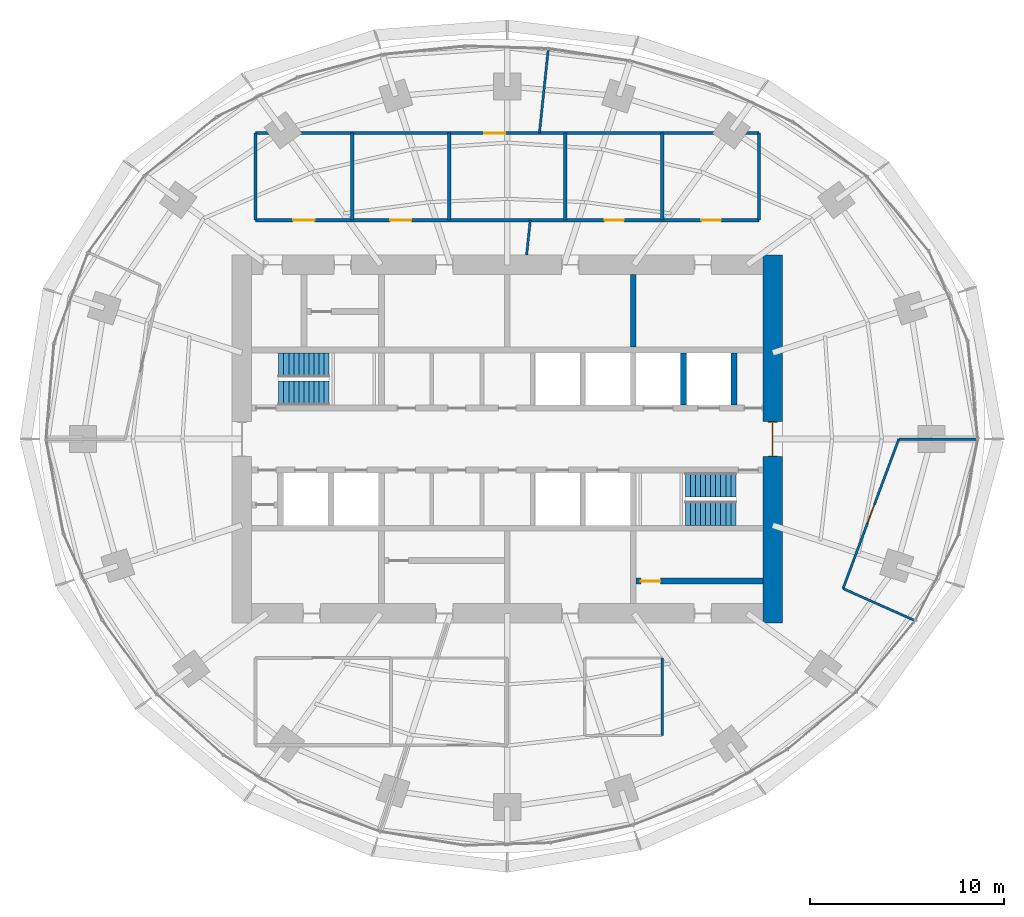
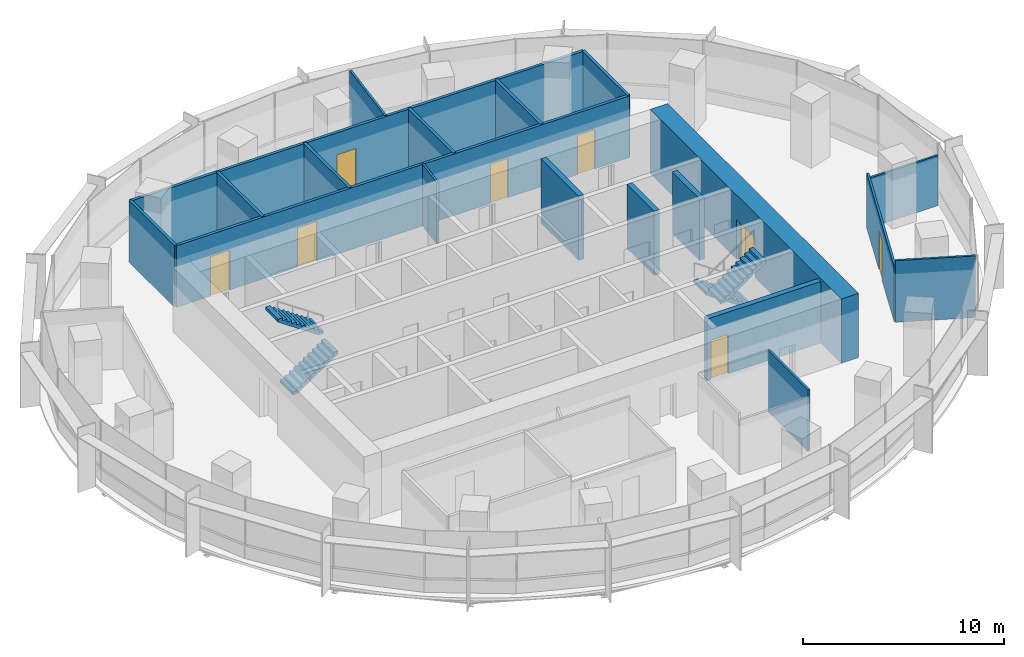
# One storey, part 12 of 14: 19 walls, 8 doors, 4 stair flights, 8 openings, 2 elements without a shape of their own.
"""IFC4 building model written with IfcOpenShell, lengths in metres."""

from ifc_helpers import new_model, si_unit, direction, frame, frame_2d, origin, place, context, subcontext, project, spatial, polyline, rectangle, outline, extrude, material, layer, layer_set, type_object, element, fill, aggregate, save


model = new_model("IFC4")

# Units and contexts
model_context = context("Model", 3, precision=1e-05, world=origin(), true_north=direction((0.0, 1.0)))
body_context = subcontext(model_context, "Body", "Model", "MODEL_VIEW")
ifc_project = project(units=[si_unit("LENGTHUNIT", "METRE"), si_unit("AREAUNIT", "SQUARE_METRE"), si_unit("VOLUMEUNIT", "CUBIC_METRE"), si_unit("PLANEANGLEUNIT", "RADIAN"), si_unit("MASSUNIT", "GRAM", prefix="KILO")], contexts=[model_context])

# Site, building, storey
site_placement = place(None, origin())
site = spatial("IfcSite", under=ifc_project, at=site_placement, CompositionType="ELEMENT")
building_placement = place(site_placement, origin())
building = spatial("IfcBuilding", under=site, at=building_placement, Name="Marramba Exchange Tower", CompositionType="ELEMENT")
storey_placement = place(building_placement, frame((0.0, 0.0, 238.39990234375)))
storey = spatial("IfcBuildingStorey", under=building, at=storey_placement, Name="L58", CompositionType="ELEMENT", Elevation=238.39990234375)

# Walls
ifc_material_1 = material(Name="Plasterboard on staggered double steel studs, acoustic insulation", Category="steel")
ifc_layer_1 = layer(ifc_material_1, 0.169921875)
ifc_layer_set_1 = layer_set([ifc_layer_1], Name="Acoustic partition 170")
wall_type_1 = type_object("IfcWallType", Name="Acoustic partition 170", PredefinedType="PARTITIONING", material=ifc_layer_set_1)
for number, where, z_axis, x_axis, name in (
    (1, (13.0, 11.300048828125, 0.0), (0.0, 0.0, 1.0), (0.0, 1.0, 0.0), "Acoustic partition L58 17"),
    (2, (8.0, 15.800048828125, 0.0), (0.0, 0.0, 1.0), (0.0, -1.0, 0.0), "Acoustic partition L58 18"),
    (3, (3.0, 15.800048828125, 0.0), (0.0, 0.0, 1.0), (0.0, -1.0, 0.0), "Acoustic partition L58 19"),
):
    element("IfcWall", number, at=place(storey_placement, frame(where, z_axis=z_axis, x_axis=x_axis)), inside=storey, type_object=wall_type_1, Name=name, PredefinedType="PARTITIONING", context=body_context, shape_type="SweptSolid", body=[
        extrude(rectangle(XDim=4.5, YDim=0.169921875, at=frame_2d((2.25, 0.0))), origin(), (0.0, 0.0, 1.0), 3.739990234375),
    ])

# Wall, openings, doors
wall_1_placement = place(storey_placement, frame((-13.0, 11.300048828125, 0.0), z_axis=(0.0, 0.0, 1.0), x_axis=(1.0, 0.0, 0.0)))
wall_1 = element("IfcWall", 4, at=wall_1_placement, inside=storey, type_object=wall_type_1, Name="Acoustic partition L58 22", PredefinedType="PARTITIONING", context=body_context, shape_type="SweptSolid", body=[
    extrude(rectangle(XDim=26.0, YDim=0.169921875, at=frame_2d((13.0, 0.0))), origin(), (0.0, 0.0, 1.0), 3.739990234375),
])
opening_1_placement = place(wall_1_placement, frame((1.949951171875, 0.0, 0.0)))
opening_1 = element("IfcOpeningElement", 5, at=opening_1_placement, cuts=wall_1, Name="Opening D15", PredefinedType="OPENING", context=body_context, shape_type="SweptSolid", body=[
    extrude(rectangle(XDim=1.10009765625, YDim=2.39990234375, at=frame_2d((0.550048828125, 1.199951171875))), frame((0.0, 0.094970703125, 0.0), z_axis=(0.0, -1.0, 0.0), x_axis=(1.0, 0.0, 0.0)), (0.0, 0.0, 1.0), 0.18994140625),
])
opening_2_placement = place(wall_1_placement, frame((6.949951171875, 0.0, 0.0)))
opening_2 = element("IfcOpeningElement", 6, at=opening_2_placement, cuts=wall_1, Name="Opening D15", PredefinedType="OPENING", context=body_context, shape_type="SweptSolid", body=[
    extrude(rectangle(XDim=1.10009765625, YDim=2.39990234375, at=frame_2d((0.550048828125, 1.199951171875))), frame((0.0, 0.094970703125, 0.0), z_axis=(0.0, -1.0, 0.0), x_axis=(1.0, 0.0, 0.0)), (0.0, 0.0, 1.0), 0.18994140625),
])
opening_3_placement = place(wall_1_placement, frame((18.02490234375, 0.0, 0.0)))
opening_3 = element("IfcOpeningElement", 7, at=opening_3_placement, cuts=wall_1, Name="Opening D9", PredefinedType="OPENING", context=body_context, shape_type="SweptSolid", body=[
    extrude(rectangle(XDim=1.0, YDim=2.39990234375, at=frame_2d((0.5, 1.199951171875))), frame((0.0, 0.094970703125, 0.0), z_axis=(0.0, -1.0, 0.0), x_axis=(1.0, 0.0, 0.0)), (0.0, 0.0, 1.0), 0.18994140625),
])
opening_4_placement = place(wall_1_placement, frame((23.02490234375, 0.0, 0.0)))
opening_4 = element("IfcOpeningElement", 8, at=opening_4_placement, cuts=wall_1, Name="Opening D9", PredefinedType="OPENING", context=body_context, shape_type="SweptSolid", body=[
    extrude(rectangle(XDim=1.0, YDim=2.39990234375, at=frame_2d((0.5, 1.199951171875))), frame((0.0, 0.094970703125, 0.0), z_axis=(0.0, -1.0, 0.0), x_axis=(1.0, 0.0, 0.0)), (0.0, 0.0, 1.0), 0.18994140625),
])
ifc_material_2 = material(Name="Timber door", Category="wood")
door_type_1 = type_object("IfcDoorType", Name="Glazed meeting room door 1100x2400", OperationType="SINGLE_SWING_LEFT", PredefinedType="DOOR", material=ifc_material_2)
door_1_placement = place(opening_1_placement, origin())
door_1 = element("IfcDoor", 9, at=door_1_placement, inside=storey, type_object=door_type_1, Name="D15 Meeting Room 1 L58", OperationType="SINGLE_SWING_RIGHT", OverallHeight=2.39990234375, OverallWidth=1.10009765625, PredefinedType="DOOR", context=body_context, shape_type="SweptSolid", body=[
    extrude(rectangle(XDim=1.10009765625, YDim=2.39990234375, at=frame_2d((0.550048828125, 1.199951171875))), frame((0.0, 0.02490234375, 0.0), z_axis=(0.0, -1.0, 0.0), x_axis=(1.0, 0.0, 0.0)), (0.0, 0.0, 1.0), 0.050048828125),
])
fill(opening_1, door_1)
door_2_placement = place(opening_2_placement, origin())
door_2 = element("IfcDoor", 10, at=door_2_placement, inside=storey, type_object=door_type_1, Name="D15 Meeting Room 2 L58", OperationType="SINGLE_SWING_RIGHT", OverallHeight=2.39990234375, OverallWidth=1.10009765625, PredefinedType="DOOR", context=body_context, shape_type="SweptSolid", body=[
    extrude(rectangle(XDim=1.10009765625, YDim=2.39990234375, at=frame_2d((0.550048828125, 1.199951171875))), frame((0.0, 0.02490234375, 0.0), z_axis=(0.0, -1.0, 0.0), x_axis=(1.0, 0.0, 0.0)), (0.0, 0.0, 1.0), 0.050048828125),
])
fill(opening_2, door_2)
door_type_2 = type_object("IfcDoorType", Name="Room door 1000x2400", OperationType="SINGLE_SWING_LEFT", PredefinedType="DOOR", material=ifc_material_2)
door_3_placement = place(opening_3_placement, origin())
door_3 = element("IfcDoor", 11, at=door_3_placement, inside=storey, type_object=door_type_2, Name="D9 Interview Room 1 L58", OperationType="SINGLE_SWING_RIGHT", OverallHeight=2.39990234375, OverallWidth=1.0, PredefinedType="DOOR", context=body_context, shape_type="SweptSolid", body=[
    extrude(rectangle(XDim=1.0, YDim=2.39990234375, at=frame_2d((0.5, 1.199951171875))), frame((0.0, 0.02490234375, 0.0), z_axis=(0.0, -1.0, 0.0), x_axis=(1.0, 0.0, 0.0)), (0.0, 0.0, 1.0), 0.050048828125),
])
fill(opening_3, door_3)
door_4_placement = place(opening_4_placement, origin())
door_4 = element("IfcDoor", 12, at=door_4_placement, inside=storey, type_object=door_type_2, Name="D9 Interview Room 2 L58", OperationType="SINGLE_SWING_RIGHT", OverallHeight=2.39990234375, OverallWidth=1.0, PredefinedType="DOOR", context=body_context, shape_type="SweptSolid", body=[
    extrude(rectangle(XDim=1.0, YDim=2.39990234375, at=frame_2d((0.5, 1.199951171875))), frame((0.0, 0.02490234375, 0.0), z_axis=(0.0, -1.0, 0.0), x_axis=(1.0, 0.0, 0.0)), (0.0, 0.0, 1.0), 0.050048828125),
])
fill(opening_4, door_4)

# Wall, opening, door
wall_2_placement = place(storey_placement, frame((13.0, 15.800048828125, 0.0), z_axis=(0.0, 0.0, 1.0), x_axis=(-1.0, 0.0, 0.0)))
wall_2 = element("IfcWall", 13, at=wall_2_placement, inside=storey, type_object=wall_type_1, Name="Acoustic partition L58 23", PredefinedType="PARTITIONING", context=body_context, shape_type="SweptSolid", body=[
    extrude(rectangle(XDim=26.0, YDim=0.169921875, at=frame_2d((13.0, 0.0))), origin(), (0.0, 0.0, 1.0), 3.739990234375),
])
opening_5_placement = place(wall_2_placement, frame((13.094970703125, 0.0, 0.0)))
opening_5 = element("IfcOpeningElement", 14, at=opening_5_placement, cuts=wall_2, Name="Opening D15", PredefinedType="OPENING", context=body_context, shape_type="SweptSolid", body=[
    extrude(rectangle(XDim=1.10009765625, YDim=2.39990234375, at=frame_2d((0.550048828125, 1.199951171875))), frame((0.0, 0.094970703125, 0.0), z_axis=(0.0, -1.0, 0.0), x_axis=(1.0, 0.0, 0.0)), (0.0, 0.0, 1.0), 0.18994140625),
])
door_5_placement = place(opening_5_placement, origin())
door_5 = element("IfcDoor", 15, at=door_5_placement, inside=storey, type_object=door_type_1, Name="D15 Meeting Room 3 L58", OperationType="SINGLE_SWING_RIGHT", OverallHeight=2.39990234375, OverallWidth=1.10009765625, PredefinedType="DOOR", context=body_context, shape_type="SweptSolid", body=[
    extrude(rectangle(XDim=1.10009765625, YDim=2.39990234375, at=frame_2d((0.550048828125, 1.199951171875))), frame((0.0, 0.02490234375, 0.0), z_axis=(0.0, -1.0, 0.0), x_axis=(1.0, 0.0, 0.0)), (0.0, 0.0, 1.0), 0.050048828125),
])
fill(opening_5, door_5)

# Walls
for number, where, z_axis, x_axis, name in (
    (16, (-3.0, 15.800048828125, 0.0), (0.0, 0.0, 1.0), (0.0, -1.0, 0.0), "Acoustic partition L58 24"),
    (17, (-8.0, 15.800048828125, 0.0), (0.0, 0.0, 1.0), (0.0, -1.0, 0.0), "Acoustic partition L58 25"),
    (18, (-13.0, 15.800048828125, 0.0), (0.0, 0.0, 1.0), (0.0, -1.0, 0.0), "Acoustic partition L58 26"),
):
    element("IfcWall", number, at=place(storey_placement, frame(where, z_axis=z_axis, x_axis=x_axis)), inside=storey, type_object=wall_type_1, Name=name, PredefinedType="PARTITIONING", context=body_context, shape_type="SweptSolid", body=[
        extrude(rectangle(XDim=4.5, YDim=0.169921875, at=frame_2d((2.25, 0.0))), origin(), (0.0, 0.0, 1.0), 3.739990234375),
    ])

# Wall, opening, door
ifc_material_3 = material(Name="Concrete N50", Category="concrete")
ifc_layer_2 = layer(ifc_material_3, 1.0)
ifc_layer_set_2 = layer_set([ifc_layer_2], Name="Core wall 1000")
wall_type_2 = type_object("IfcWallType", Name="Core wall 1000", PredefinedType="SHEAR", material=ifc_layer_set_2)
wall_3_placement = place(storey_placement, frame((13.699951171875, -9.5, 0.0), z_axis=(0.0, 0.0, 1.0), x_axis=(0.0, 1.0, 0.0)))
wall_3 = element("IfcWall", 19, at=wall_3_placement, inside=storey, type_object=wall_type_2, Name="Core wall E L58", PredefinedType="SHEAR", context=body_context, shape_type="SweptSolid", body=[
    extrude(rectangle(XDim=19.0, YDim=1.0, at=frame_2d((9.5, 0.0))), origin(), (0.0, 0.0, 1.0), 3.900146484375),
])
opening_6_placement = place(wall_3_placement, frame((8.60009765625, 0.0, 0.0)))
opening_6 = element("IfcOpeningElement", 20, at=opening_6_placement, cuts=wall_3, Name="Opening D1", PredefinedType="OPENING", context=body_context, shape_type="SweptSolid", body=[
    extrude(rectangle(XDim=1.800048828125, YDim=2.39990234375, at=frame_2d((0.89990234375, 1.199951171875))), frame((0.0, 0.510009765625, 0.0), z_axis=(0.0, -1.0, 0.0), x_axis=(1.0, 0.0, 0.0)), (0.0, 0.0, 1.0), 1.02001953125),
])
ifc_material_4 = material(Name="Steel-framed door", Category="steel")
door_type_3 = type_object("IfcDoorType", Name="Lobby exit door 1800x2400", OperationType="DOUBLE_DOOR_SINGLE_SWING", PredefinedType="DOOR", material=ifc_material_4)
door_6_placement = place(opening_6_placement, origin())
door_6 = element("IfcDoor", 21, at=door_6_placement, inside=storey, type_object=door_type_3, Name="D1 lobby exit east L58", OperationType="DOUBLE_DOOR_SINGLE_SWING", OverallHeight=2.39990234375, OverallWidth=1.800048828125, PredefinedType="DOOR", context=body_context, shape_type="SweptSolid", body=[
    extrude(rectangle(XDim=1.719970703125, YDim=2.35986328125, at=frame_2d((0.89990234375, 1.179931640625))), frame((0.0, 0.02490234375, 0.0), z_axis=(0.0, -1.0, 0.0), x_axis=(1.0, 0.0, 0.0)), (0.0, 0.0, 1.0), 0.050048828125),
    extrude(rectangle(XDim=0.04, YDim=2.39990234375, at=frame_2d((0.02001953125, 1.199951171875))), frame((0.0, 0.25, 0.0), z_axis=(0.0, -1.0, 0.0), x_axis=(1.0, 0.0, 0.0)), (0.0, 0.0, 1.0), 0.5),
    extrude(rectangle(XDim=0.04, YDim=2.39990234375, at=frame_2d((1.780029296875, 1.199951171875))), frame((0.0, 0.25, 0.0), z_axis=(0.0, -1.0, 0.0), x_axis=(1.0, 0.0, 0.0)), (0.0, 0.0, 1.0), 0.5),
    extrude(rectangle(XDim=1.719970703125, YDim=0.04, at=frame_2d((0.89990234375, 2.3798828125))), frame((0.0, 0.25, 0.0), z_axis=(0.0, -1.0, 0.0), x_axis=(1.0, 0.0, 0.0)), (0.0, 0.0, 1.0), 0.5),
])
fill(opening_6, door_6)

# Walls
ifc_layer_3 = layer(ifc_material_3, 0.300048828125)
ifc_layer_set_3 = layer_set([ifc_layer_3], Name="Core wall 300")
wall_type_3 = type_object("IfcWallType", Name="Core wall 300", PredefinedType="SHEAR", material=ifc_layer_set_3)
wall_4_placement = place(storey_placement, frame((6.5, 4.75, 0.0), z_axis=(0.0, 0.0, 1.0), x_axis=(0.0, 1.0, 0.0)))
element("IfcWall", 22, at=wall_4_placement, inside=storey, type_object=wall_type_3, Name="Core wall X1Nb L58", PredefinedType="SHEAR", context=body_context, shape_type="SweptSolid", body=[
    extrude(rectangle(XDim=3.75, YDim=0.300048828125, at=frame_2d((1.875, 0.0))), origin(), (0.0, 0.0, 1.0), 3.900146484375),
])
wall_5_placement = place(storey_placement, frame((9.10009765625, 1.75, 0.0), z_axis=(0.0, 0.0, 1.0), x_axis=(0.0, 1.0, 0.0)))
element("IfcWall", 23, at=wall_5_placement, inside=storey, type_object=wall_type_3, Name="Core wall ED L58", PredefinedType="SHEAR", context=body_context, shape_type="SweptSolid", body=[
    extrude(rectangle(XDim=2.699951171875, YDim=0.300048828125, at=frame_2d((1.35009765625, 0.0))), origin(), (0.0, 0.0, 1.0), 3.900146484375),
])
ifc_material_5 = material(Name="Core-filled concrete blockwork", Category="masonry")
ifc_layer_4 = layer(ifc_material_5, 0.300048828125)
ifc_layer_set_4 = layer_set([ifc_layer_4], Name="Lift shaft wall 300")
wall_type_4 = type_object("IfcWallType", Name="Lift shaft wall 300", PredefinedType="SOLIDWALL", material=ifc_layer_set_4)
wall_6_placement = place(storey_placement, frame((11.699951171875, 1.75, 0.0), z_axis=(0.0, 0.0, 1.0), x_axis=(0.0, 1.0, 0.0)))
element("IfcWall", 24, at=wall_6_placement, inside=storey, type_object=wall_type_4, Name="Lift shaft wall E1 L58", PredefinedType="SOLIDWALL", context=body_context, shape_type="SweptSolid", body=[
    extrude(rectangle(XDim=2.699951171875, YDim=0.300048828125, at=frame_2d((1.35009765625, 0.0))), origin(), (0.0, 0.0, 1.0), 3.739990234375),
])
ifc_material_6 = material(Name="Plasterboard on steel studs", Category="steel")
ifc_layer_5 = layer(ifc_material_6, 0.1201171875)
ifc_layer_set_5 = layer_set([ifc_layer_5], Name="Partition 120")
wall_type_5 = type_object("IfcWallType", Name="Partition 120", PredefinedType="PARTITIONING", material=ifc_layer_set_5)
for number, where, z_axis, x_axis, name in (
    (25, (8.0, -11.300048828125, 0.0), (0.0, 0.0, 1.0), (0.0, -1.0, 0.0), "Partition L58 13"),
    (26, (17.334716796875, -7.718017578125, 0.0), (0.0, 0.0, 1.0), (0.913549606868, -0.406727323635, 0.0), "Partition L58 14"),
):
    element("IfcWall", number, at=place(storey_placement, frame(where, z_axis=z_axis, x_axis=x_axis)), inside=storey, type_object=wall_type_5, Name=name, PredefinedType="PARTITIONING", context=body_context, shape_type="SweptSolid", body=[
        extrude(rectangle(XDim=4.0, YDim=0.1201171875, at=frame_2d((2.0, 0.0))), origin(), (0.0, 0.0, 1.0), 3.739990234375),
    ])

# Wall, opening, door
wall_7_placement = place(storey_placement, frame((20.214111328125, 0.0, 0.0), z_axis=(0.0, 0.0, 1.0), x_axis=(-0.349541206964, -0.936920991671, 0.0)))
wall_7 = element("IfcWall", 27, at=wall_7_placement, inside=storey, type_object=wall_type_5, Name="Partition L58 15", PredefinedType="PARTITIONING", context=body_context, shape_type="SweptSolid", body=[
    extrude(rectangle(XDim=8.237548828125, YDim=0.1201171875, at=frame_2d((4.11865234375, 0.0))), origin(), (0.0, 0.0, 1.0), 3.333984375),
])
opening_7_placement = place(wall_7_placement, frame((3.618896484375, 0.0, 0.0)))
opening_7 = element("IfcOpeningElement", 28, at=opening_7_placement, cuts=wall_7, Name="Opening D9", PredefinedType="OPENING", context=body_context, shape_type="SweptSolid", body=[
    extrude(rectangle(XDim=1.0, YDim=2.39990234375, at=frame_2d((0.5, 1.199951171875))), frame((0.0, 0.070068359375, 0.0), z_axis=(0.0, -1.0, 0.0), x_axis=(1.0, 0.0, 0.0)), (0.0, 0.0, 1.0), 0.14013671875),
])
door_7_placement = place(opening_7_placement, origin())
door_7 = element("IfcDoor", 29, at=door_7_placement, inside=storey, type_object=door_type_2, Name="D9 Office 1 L58", OperationType="SINGLE_SWING_RIGHT", OverallHeight=2.39990234375, OverallWidth=1.0, PredefinedType="DOOR", context=body_context, shape_type="SweptSolid", body=[
    extrude(rectangle(XDim=1.0, YDim=2.39990234375, at=frame_2d((0.5, 1.199951171875))), frame((0.0, 0.02490234375, 0.0), z_axis=(0.0, -1.0, 0.0), x_axis=(1.0, 0.0, 0.0)), (0.0, 0.0, 1.0), 0.050048828125),
])
fill(opening_7, door_7)

# Walls
wall_8_placement = place(storey_placement, frame((24.214111328125, 0.0, 0.0), z_axis=(0.0, 0.0, 1.0), x_axis=(-1.0, 0.0, 0.0)))
element("IfcWall", 30, at=wall_8_placement, inside=storey, type_object=wall_type_5, Name="Partition L58 16", PredefinedType="PARTITIONING", context=body_context, shape_type="SweptSolid", body=[
    extrude(rectangle(XDim=4.0, YDim=0.1201171875, at=frame_2d((2.0, 0.0))), origin(), (0.0, 0.0, 1.0), 3.0400390625),
])
wall_9_placement = place(storey_placement, frame((1.66064453125, 15.800048828125, 0.0), z_axis=(0.0, 0.0, 1.0), x_axis=(0.104548874513, 0.994519749848, 0.0)))
element("IfcWall", 31, at=wall_9_placement, inside=storey, type_object=wall_type_5, Name="Partition L58 20", PredefinedType="PARTITIONING", context=body_context, shape_type="SweptSolid", body=[
    extrude(rectangle(XDim=4.301513671875, YDim=0.1201171875, at=frame_2d((2.15087890625, 0.0))), origin(), (0.0, 0.0, 1.0), 3.739990234375),
])
wall_10_placement = place(storey_placement, frame((0.99853515625, 9.5, 0.0), z_axis=(0.0, 0.0, 1.0), x_axis=(0.104537331683, 0.99452096322, 0.0)))
element("IfcWall", 32, at=wall_10_placement, inside=storey, type_object=wall_type_5, Name="Partition L58 21", PredefinedType="PARTITIONING", context=body_context, shape_type="SweptSolid", body=[
    extrude(rectangle(XDim=1.81005859375, YDim=0.1201171875, at=frame_2d((0.905029296875, 0.0))), origin(), (0.0, 0.0, 1.0), 3.739990234375),
])

# Wall, opening, door
ifc_material_7 = material(Name="Plasterboard on steel studs, insulated, unrated", Category="steel")
ifc_layer_6 = layer(ifc_material_7, 0.300048828125)
ifc_layer_set_6 = layer_set([ifc_layer_6], Name="Store partition 300")
wall_type_6 = type_object("IfcWallType", Name="Store partition 300", PredefinedType="PARTITIONING", material=ifc_layer_set_6)
wall_11_placement = place(storey_placement, frame((6.64990234375, -7.327880859375, 0.0), z_axis=(0.0, 0.0, 1.0), x_axis=(1.0, 0.0, 0.0)))
wall_11 = element("IfcWall", 33, at=wall_11_placement, inside=storey, type_object=wall_type_6, Name="Store partition L58 cstore", PredefinedType="PARTITIONING", context=body_context, shape_type="SweptSolid", body=[
    extrude(rectangle(XDim=6.550048828125, YDim=0.300048828125, at=frame_2d((3.27490234375, 0.0))), origin(), (0.0, 0.0, 1.0), 3.739990234375),
])
opening_8_placement = place(wall_11_placement, frame((0.25, 0.0, 0.0)))
opening_8 = element("IfcOpeningElement", 34, at=opening_8_placement, cuts=wall_11, Name="Opening D9", PredefinedType="OPENING", context=body_context, shape_type="SweptSolid", body=[
    extrude(rectangle(XDim=1.0, YDim=2.39990234375, at=frame_2d((0.5, 1.199951171875))), frame((0.0, 0.159912109375, 0.0), z_axis=(0.0, -1.0, 0.0), x_axis=(1.0, 0.0, 0.0)), (0.0, 0.0, 1.0), 0.320068359375),
])
door_8_placement = place(opening_8_placement, frame((1.0, 0.0, 0.0), z_axis=(0.0, 0.0, 1.0), x_axis=(-1.0, 0.0, 0.0)))
door_8 = element("IfcDoor", 35, at=door_8_placement, inside=storey, type_object=door_type_2, Name="D9 general store L58", OperationType="SINGLE_SWING_RIGHT", OverallHeight=2.39990234375, OverallWidth=1.0, PredefinedType="DOOR", context=body_context, shape_type="SweptSolid", body=[
    extrude(rectangle(XDim=1.0, YDim=2.39990234375, at=frame_2d((0.5, 1.199951171875))), frame((0.0, 0.025146484375, 0.0), z_axis=(0.0, -1.0, 0.0), x_axis=(1.0, 0.0, 0.0)), (0.0, 0.0, 1.0), 0.050048828125),
])
fill(opening_8, door_8)

# Stair, stair flights
ifc_material_8 = material(Name="Concrete N40 (40 MPa)", Category="concrete")
stair_type_1 = type_object("IfcStairType", Name="Exit stair ST1 3900 x 1250", PredefinedType="HALF_TURN_STAIR", material=ifc_material_8)
stair_1_placement = place(storey_placement, origin())
stair_1 = element("IfcStair", 36, at=stair_1_placement, inside=storey, type_object=stair_type_1, Name="Exit stair ST1 L58", PredefinedType="HALF_TURN_STAIR")
stair_flight_type_1 = type_object("IfcStairFlightType", Name="ST1 stair flight 1773 riser 1250 wide", PredefinedType="STRAIGHT", material=ifc_material_8)
stair_flight_1_placement = place(storey_placement, frame((-11.800048828125, 2.375, 0.0), z_axis=(0.0, 0.0, 1.0), x_axis=(1.0, 0.0, 0.0)))
stair_flight_1 = element("IfcStairFlight", 37, at=stair_flight_1_placement, type_object=stair_flight_type_1, Name="ST1 flight 1", NumberOfRisers=11, NumberOfTreads=10, PredefinedType="STRAIGHT", RiserHeight=0.177272727, TreadLength=0.26, context=body_context, shape_type="SweptSolid", body=[
    extrude(outline(polyline([(0.0, 0.0), (0.0, 0.17724609375), (0.260009765625, 0.17724609375), (0.260009765625, 0.3544921875), (0.52001953125, 0.3544921875), (0.52001953125, 0.53173828125), (0.780029296875, 0.53173828125), (0.780029296875, 0.708984375), (1.0400390625, 0.708984375), (1.0400390625, 0.886474609375), (1.300048828125, 0.886474609375), (1.300048828125, 1.063720703125), (1.56005859375, 1.063720703125), (1.56005859375, 1.240966796875), (1.820068359375, 1.240966796875), (1.820068359375, 1.418212890625), (2.080078125, 1.418212890625), (2.080078125, 1.595458984375), (2.340087890625, 1.595458984375), (2.340087890625, 1.772705078125), (2.60009765625, 1.772705078125), (2.60009765625, 1.949951171875), (2.60009765625, 1.59130859375), (0.26611328125, 0.0), (0.0, 0.0)])), frame((0.0, 0.625, 0.0), z_axis=(0.0, -1.0, 0.0), x_axis=(1.0, 0.0, 0.0)), (0.0, 0.0, 1.0), 1.25),
])
stair_flight_2_placement = place(storey_placement, frame((-9.199951171875, 3.824951171875, 1.9501953125), z_axis=(0.0, 0.0, 1.0), x_axis=(-1.0, 0.0, 0.0)))
stair_flight_2 = element("IfcStairFlight", 38, at=stair_flight_2_placement, type_object=stair_flight_type_1, Name="ST1 flight 2", NumberOfRisers=11, NumberOfTreads=10, PredefinedType="STRAIGHT", RiserHeight=0.177272727, TreadLength=0.26, context=body_context, shape_type="SweptSolid", body=[
    extrude(outline(polyline([(0.0, 0.0), (0.0, 0.17724609375), (0.260009765625, 0.17724609375), (0.260009765625, 0.3544921875), (0.52001953125, 0.3544921875), (0.52001953125, 0.53173828125), (0.780029296875, 0.53173828125), (0.780029296875, 0.708984375), (1.0400390625, 0.708984375), (1.0400390625, 0.886474609375), (1.300048828125, 0.886474609375), (1.300048828125, 1.063720703125), (1.56005859375, 1.063720703125), (1.56005859375, 1.240966796875), (1.820068359375, 1.240966796875), (1.820068359375, 1.418212890625), (2.080078125, 1.418212890625), (2.080078125, 1.595458984375), (2.340087890625, 1.595458984375), (2.340087890625, 1.772705078125), (2.60009765625, 1.772705078125), (2.60009765625, 1.949951171875), (2.60009765625, 1.59130859375), (0.26611328125, 0.0), (0.0, 0.0)])), frame((0.0, 0.625, 0.0), z_axis=(0.0, -1.0, 0.0), x_axis=(1.0, 0.0, 0.0)), (0.0, 0.0, 1.0), 1.25),
])
aggregate(stair_1, [stair_flight_1, stair_flight_2])

stair_type_2 = type_object("IfcStairType", Name="Exit stair ST2 3900 x 1250", PredefinedType="HALF_TURN_STAIR", material=ifc_material_8)
stair_2_placement = place(storey_placement, origin())
stair_2 = element("IfcStair", 39, at=stair_2_placement, inside=storey, type_object=stair_type_2, Name="Exit stair ST2 L58", PredefinedType="HALF_TURN_STAIR")
stair_flight_type_2 = type_object("IfcStairFlightType", Name="ST2 stair flight 1773 riser 1250 wide", PredefinedType="STRAIGHT", material=ifc_material_8)
stair_flight_3_placement = place(storey_placement, frame((11.800048828125, -2.375, 0.0), z_axis=(0.0, 0.0, 1.0), x_axis=(-1.0, 0.0, 0.0)))
stair_flight_3 = element("IfcStairFlight", 40, at=stair_flight_3_placement, type_object=stair_flight_type_2, Name="ST2 flight 1", NumberOfRisers=11, NumberOfTreads=10, PredefinedType="STRAIGHT", RiserHeight=0.177272727, TreadLength=0.26, context=body_context, shape_type="SweptSolid", body=[
    extrude(outline(polyline([(0.0, 0.0), (0.0, 0.17724609375), (0.260009765625, 0.17724609375), (0.260009765625, 0.3544921875), (0.52001953125, 0.3544921875), (0.52001953125, 0.53173828125), (0.780029296875, 0.53173828125), (0.780029296875, 0.708984375), (1.0400390625, 0.708984375), (1.0400390625, 0.886474609375), (1.300048828125, 0.886474609375), (1.300048828125, 1.063720703125), (1.56005859375, 1.063720703125), (1.56005859375, 1.240966796875), (1.820068359375, 1.240966796875), (1.820068359375, 1.418212890625), (2.080078125, 1.418212890625), (2.080078125, 1.595458984375), (2.340087890625, 1.595458984375), (2.340087890625, 1.772705078125), (2.60009765625, 1.772705078125), (2.60009765625, 1.949951171875), (2.60009765625, 1.59130859375), (0.26611328125, 0.0), (0.0, 0.0)])), frame((0.0, 0.625, 0.0), z_axis=(0.0, -1.0, 0.0), x_axis=(1.0, 0.0, 0.0)), (0.0, 0.0, 1.0), 1.25),
])
stair_flight_4_placement = place(storey_placement, frame((9.199951171875, -3.824951171875, 1.9501953125), z_axis=(0.0, 0.0, 1.0), x_axis=(1.0, 0.0, 0.0)))
stair_flight_4 = element("IfcStairFlight", 41, at=stair_flight_4_placement, type_object=stair_flight_type_2, Name="ST2 flight 2", NumberOfRisers=11, NumberOfTreads=10, PredefinedType="STRAIGHT", RiserHeight=0.177272727, TreadLength=0.26, context=body_context, shape_type="SweptSolid", body=[
    extrude(outline(polyline([(0.0, 0.0), (0.0, 0.17724609375), (0.260009765625, 0.17724609375), (0.260009765625, 0.3544921875), (0.52001953125, 0.3544921875), (0.52001953125, 0.53173828125), (0.780029296875, 0.53173828125), (0.780029296875, 0.708984375), (1.0400390625, 0.708984375), (1.0400390625, 0.886474609375), (1.300048828125, 0.886474609375), (1.300048828125, 1.063720703125), (1.56005859375, 1.063720703125), (1.56005859375, 1.240966796875), (1.820068359375, 1.240966796875), (1.820068359375, 1.418212890625), (2.080078125, 1.418212890625), (2.080078125, 1.595458984375), (2.340087890625, 1.595458984375), (2.340087890625, 1.772705078125), (2.60009765625, 1.772705078125), (2.60009765625, 1.949951171875), (2.60009765625, 1.59130859375), (0.26611328125, 0.0), (0.0, 0.0)])), frame((0.0, 0.625, 0.0), z_axis=(0.0, -1.0, 0.0), x_axis=(1.0, 0.0, 0.0)), (0.0, 0.0, 1.0), 1.25),
])
aggregate(stair_2, [stair_flight_3, stair_flight_4])

save(model, "model.ifc")
